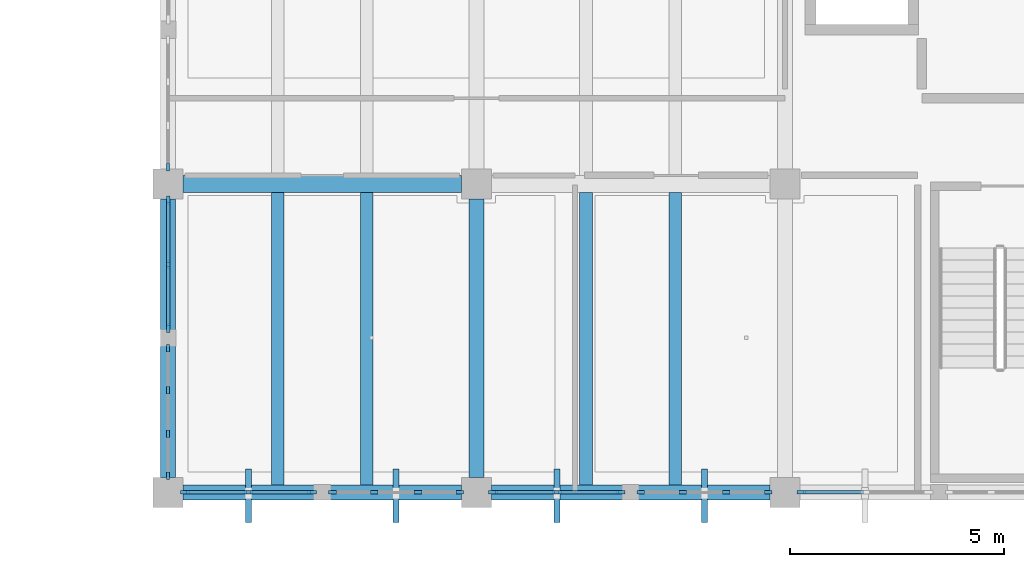
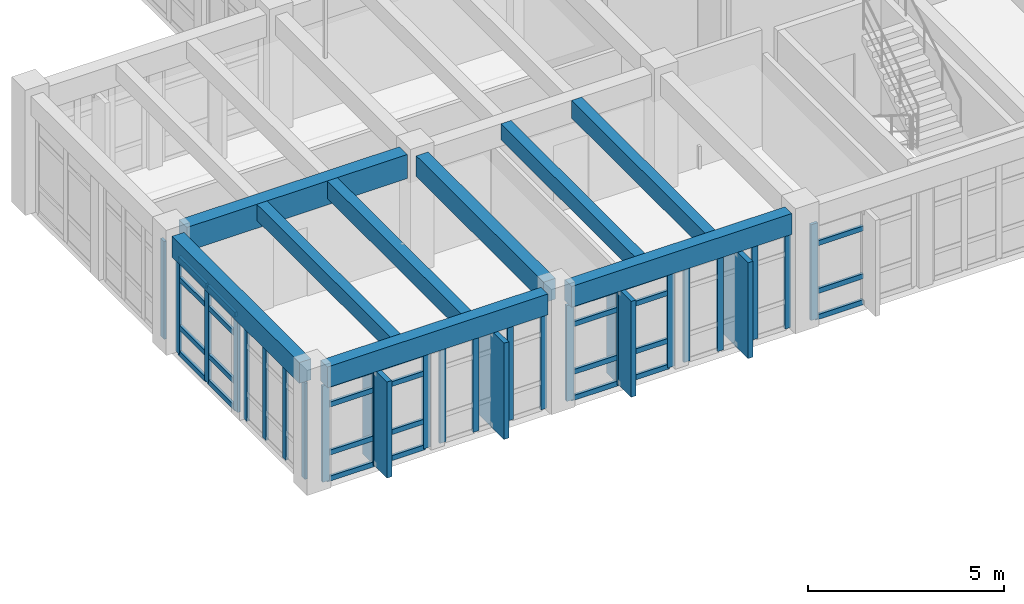
# One storey, part 10 of 54: 54 members, 9 beams, 8 elements without a shape of their own.
"""IFC4 building model written with IfcOpenShell, lengths in metres."""

from ifc_helpers import new_model, si_unit, direction, frame, origin, origin_2d, place, context, subcontext, project, spatial, rectangle, extrude, material, layer, layer_set, material_profile, profile_set, type_object, element, aggregate, save


model = new_model("IFC4")

# Units and contexts
model_context = context("Model", 3, precision=1e-05, world=origin(), true_north=direction((0.0, 1.0)))
body_context = subcontext(model_context, "Body", "Model", "MODEL_VIEW")
ifc_project = project(units=[si_unit("LENGTHUNIT", "METRE"), si_unit("AREAUNIT", "SQUARE_METRE"), si_unit("VOLUMEUNIT", "CUBIC_METRE"), si_unit("PLANEANGLEUNIT", "RADIAN"), si_unit("MASSUNIT", "GRAM", prefix="KILO")], contexts=[model_context])

# Site, building, storey
site_placement = place(None, origin())
site = spatial("IfcSite", under=ifc_project, at=site_placement, CompositionType="ELEMENT")
building_placement = place(site_placement, origin())
building = spatial("IfcBuilding", under=site, at=building_placement, Name="Koriwan Promenade Central Fire Station", CompositionType="ELEMENT")
storey_placement = place(building_placement, frame((0.0, 0.0, 9.60009765625)))
storey = spatial("IfcBuildingStorey", under=building, at=storey_placement, Name="L02", CompositionType="ELEMENT", Elevation=9.60009765625)

# Beams
ifc_material_1 = material(Name="Concrete C35/45", Category="concrete")
ifc_material_profile_1 = material_profile(ifc_material_1, rectangle(XDim=0.300048828125, YDim=0.5, at=origin_2d()), Name="RC-BM-300x500")
ifc_profile_set_1 = profile_set([ifc_material_profile_1], Name="Concrete C35/45")
beam_type_1 = type_object("IfcBeamType", Name="Beam_RC-BM-300x500", PredefinedType="JOIST", material=ifc_profile_set_1)
for number, where, z_axis, x_axis, name in (
    (1, (146.56005859375, 0.175048828125, 3.409912109375), (0.0, 1.0, 0.0), (-1.0, 0.0, 0.0), "V5 L02 secondary joist 817"),
    (2, (153.760009765625, 0.175048828125, 3.39990234375), (0.0, 1.0, 0.0), (-1.0, 0.0, 0.0), "V5 L02 secondary joist 819"),
):
    element("IfcBeam", number, at=place(storey_placement, frame(where, z_axis=z_axis, x_axis=x_axis)), inside=storey, type_object=beam_type_1, Name=name, PredefinedType="JOIST", context=body_context, shape_type="SweptSolid", body=[
        extrude(rectangle(XDim=0.300048828125, YDim=0.5, at=origin_2d()), origin(), (0.0, 0.0, 1.0), 6.824951171875),
    ])
ifc_material_profile_2 = material_profile(ifc_material_1, rectangle(XDim=0.300048828125, YDim=0.550048828125, at=origin_2d()), Name="RC-BM-300x550")
ifc_profile_set_2 = profile_set([ifc_material_profile_2], Name="Concrete C35/45")
beam_type_2 = type_object("IfcBeamType", Name="Beam_RC-BM-300x550", PredefinedType="JOIST", material=ifc_profile_set_2)
for number, where, z_axis, x_axis, name in (
    (3, (148.639892578125, 0.175048828125, 3.385009765625), (0.0, 1.0, 0.0), (-1.0, 0.0, 0.0), "V5 L02 secondary joist 818"),
    (4, (155.840087890625, 0.175048828125, 3.375), (0.0, 1.0, 0.0), (-1.0, 0.0, 0.0), "V5 L02 secondary joist 820"),
):
    element("IfcBeam", number, at=place(storey_placement, frame(where, z_axis=z_axis, x_axis=x_axis)), inside=storey, type_object=beam_type_2, Name=name, PredefinedType="JOIST", context=body_context, shape_type="SweptSolid", body=[
        extrude(rectangle(XDim=0.300048828125, YDim=0.550048828125, at=origin_2d()), origin(), (0.0, 0.0, 1.0), 6.824951171875),
    ])
ifc_material_profile_3 = material_profile(ifc_material_1, rectangle(XDim=0.35009765625, YDim=0.64990234375, at=origin_2d()), Name="RC-BM-350x650")
ifc_profile_set_3 = profile_set([ifc_material_profile_3], Name="Concrete C35/45")
beam_type_3 = type_object("IfcBeamType", Name="Beam_RC-BM-350x650", PredefinedType="BEAM", material=ifc_profile_set_3)
for number, where, z_axis, x_axis, name in (
    (5, (144.0, 0.35009765625, 3.3349609375), (0.0, 1.0, 0.0), (-1.0, 0.0, 0.0), "V5 L02 girder Y-783"),
    (6, (151.199951171875, 0.35009765625, 3.324951171875), (0.0, 1.0, 0.0), (-1.0, 0.0, 0.0), "V5 L02 girder Y-785"),
):
    element("IfcBeam", number, at=place(storey_placement, frame(where, z_axis=z_axis, x_axis=x_axis)), inside=storey, type_object=beam_type_3, Name=name, PredefinedType="BEAM", context=body_context, shape_type="SweptSolid", body=[
        extrude(rectangle(XDim=0.35009765625, YDim=0.64990234375, at=origin_2d()), origin(), (0.0, 0.0, 1.0), 6.5),
    ])
ifc_material_profile_4 = material_profile(ifc_material_1, rectangle(XDim=0.39990234375, YDim=0.75, at=origin_2d()), Name="RC-BM-400x750")
ifc_profile_set_4 = profile_set([ifc_material_profile_4], Name="Concrete C35/45")
beam_type_4 = type_object("IfcBeamType", Name="Beam_RC-BM-400x750", PredefinedType="BEAM", material=ifc_profile_set_4)
beam_placement = place(storey_placement, frame((144.35009765625, 7.199951171875, 3.284912109375), z_axis=(1.0, 0.0, 0.0), x_axis=(0.0, 1.0, 0.0)))
element("IfcBeam", 7, at=beam_placement, inside=storey, type_object=beam_type_4, Name="V5 L02 girder X-759", PredefinedType="BEAM", context=body_context, shape_type="SweptSolid", body=[
    extrude(rectangle(XDim=0.39990234375, YDim=0.75, at=origin_2d()), origin(), (0.0, 0.0, 1.0), 6.5),
])
ifc_material_profile_5 = material_profile(ifc_material_1, rectangle(XDim=0.35009765625, YDim=0.64990234375, at=origin_2d()), Name="RC-SP-350x650")
ifc_profile_set_5 = profile_set([ifc_material_profile_5], Name="Concrete C35/45")
beam_type_5 = type_object("IfcBeamType", Name="Beam_RC-SP-350x650", PredefinedType="SPANDREL", material=ifc_profile_set_5)
for number, where, z_axis, x_axis, name in (
    (8, (144.35009765625, 0.0, 3.3349609375), (1.0, 0.0, 0.0), (0.0, 1.0, 0.0), "V5 L02 girder X-755"),
    (9, (151.550048828125, 0.0, 3.324951171875), (1.0, 0.0, 0.0), (0.0, 1.0, 0.0), "V5 L02 girder X-756"),
):
    element("IfcBeam", number, at=place(storey_placement, frame(where, z_axis=z_axis, x_axis=x_axis)), inside=storey, type_object=beam_type_5, Name=name, PredefinedType="SPANDREL", context=body_context, shape_type="SweptSolid", body=[
        extrude(rectangle(XDim=0.35009765625, YDim=0.64990234375, at=origin_2d()), origin(), (0.0, 0.0, 1.0), 6.5),
    ])

# Curtain wall, members
ifc_material_2 = material(Name="Aluminium EN AW-6063-T6 and low-E glazing", Category="aluminium")
ifc_layer_1 = layer(ifc_material_2, 0.159912109375, Name="Aluminium EN AW-6063-T6 and low-E glazing")
ifc_layer_set_1 = layer_set([ifc_layer_1], Name="Aluminium EN AW-6063-T6 and low-E glazing")
curtain_wall_type_1 = type_object("IfcCurtainWallType", Name="CurtainWall_73_305x299", PredefinedType="USERDEFINED", material=ifc_layer_set_1)
curtain_wall_1_placement = place(storey_placement, origin())
curtain_wall_1 = element("IfcCurtainWall", 10, at=curtain_wall_1_placement, inside=storey, type_object=curtain_wall_type_1, Name="V5 L02 unitised curtain wall 213", ObjectType="UNITISED CURTAIN WALL", PredefinedType="USERDEFINED")
ifc_material_3 = material(Name="Aluminium EN AW-6063-T6", Category="aluminium")
ifc_material_profile_6 = material_profile(ifc_material_3, rectangle(XDim=0.074951171875, YDim=0.179931640625, at=origin_2d()), Name="ALU-MUL-75x180")
ifc_profile_set_6 = profile_set([ifc_material_profile_6], Name="Aluminium EN AW-6063-T6")
member_type_1 = type_object("IfcMemberType", Name="CWMullion_ALU-MUL-75x180", PredefinedType="MULLION", material=ifc_profile_set_6)
member_1_placement = place(storey_placement, frame((158.012451171875, 0.0, 0.0), z_axis=(0.0, 0.0, 1.0), x_axis=(0.0, -1.0, 0.0)))
member_1 = element("IfcMember", 11, at=member_1_placement, type_object=member_type_1, Name="CW-73 mullion 1", PredefinedType="MULLION", context=body_context, shape_type="SweptSolid", body=[
    extrude(rectangle(XDim=0.074951171875, YDim=0.179931640625, at=origin_2d()), origin(), (0.0, 0.0, 1.0), 2.989990234375),
])
member_2_placement = place(storey_placement, frame((157.033447265625, 0.0, 0.0), z_axis=(0.0, 0.0, 1.0), x_axis=(0.0, -1.0, 0.0)))
member_2 = element("IfcMember", 12, at=member_2_placement, type_object=member_type_1, Name="CW-73 mullion 2", PredefinedType="MULLION", context=body_context, shape_type="SweptSolid", body=[
    extrude(rectangle(XDim=0.074951171875, YDim=0.179931640625, at=origin_2d()), origin(), (0.0, 0.0, 1.0), 2.989990234375),
])
member_3_placement = place(storey_placement, frame((156.0166015625, 0.0, 0.0), z_axis=(0.0, 0.0, 1.0), x_axis=(0.0, -1.0, 0.0)))
member_3 = element("IfcMember", 13, at=member_3_placement, type_object=member_type_1, Name="CW-73 mullion 3", PredefinedType="MULLION", context=body_context, shape_type="SweptSolid", body=[
    extrude(rectangle(XDim=0.074951171875, YDim=0.179931640625, at=origin_2d()), origin(), (0.0, 0.0, 1.0), 2.989990234375),
])
member_4_placement = place(storey_placement, frame((155.03759765625, 0.0, 0.0), z_axis=(0.0, 0.0, 1.0), x_axis=(0.0, -1.0, 0.0)))
member_4 = element("IfcMember", 14, at=member_4_placement, type_object=member_type_1, Name="CW-73 mullion 4", PredefinedType="MULLION", context=body_context, shape_type="SweptSolid", body=[
    extrude(rectangle(XDim=0.074951171875, YDim=0.179931640625, at=origin_2d()), origin(), (0.0, 0.0, 1.0), 2.989990234375),
])
aggregate(curtain_wall_1, [member_1, member_2, member_3, member_4])

ifc_layer_2 = layer(ifc_material_2, 0.159912109375, Name="Aluminium EN AW-6063-T6 and low-E glazing")
ifc_layer_set_2 = layer_set([ifc_layer_2], Name="Aluminium EN AW-6063-T6 and low-E glazing")
curtain_wall_type_2 = type_object("IfcCurtainWallType", Name="CurtainWall_74_305x300", PredefinedType="USERDEFINED", material=ifc_layer_set_2)
curtain_wall_2_placement = place(storey_placement, origin())
curtain_wall_2 = element("IfcCurtainWall", 15, at=curtain_wall_2_placement, inside=storey, type_object=curtain_wall_type_2, Name="V5 L02 unitised curtain wall 215", ObjectType="UNITISED CURTAIN WALL", PredefinedType="USERDEFINED")
member_5_placement = place(storey_placement, frame((150.8125, 0.0, 0.0), z_axis=(0.0, 0.0, 1.0), x_axis=(0.0, -1.0, 0.0)))
member_5 = element("IfcMember", 16, at=member_5_placement, type_object=member_type_1, Name="CW-74 mullion 1", PredefinedType="MULLION", context=body_context, shape_type="SweptSolid", body=[
    extrude(rectangle(XDim=0.074951171875, YDim=0.179931640625, at=origin_2d()), origin(), (0.0, 0.0, 1.0), 3.0),
])
member_6_placement = place(storey_placement, frame((149.833251953125, 0.0, 0.0), z_axis=(0.0, 0.0, 1.0), x_axis=(0.0, -1.0, 0.0)))
member_6 = element("IfcMember", 17, at=member_6_placement, type_object=member_type_1, Name="CW-74 mullion 2", PredefinedType="MULLION", context=body_context, shape_type="SweptSolid", body=[
    extrude(rectangle(XDim=0.074951171875, YDim=0.179931640625, at=origin_2d()), origin(), (0.0, 0.0, 1.0), 3.0),
])
member_7_placement = place(storey_placement, frame((148.816650390625, 0.0, 0.0), z_axis=(0.0, 0.0, 1.0), x_axis=(0.0, -1.0, 0.0)))
member_7 = element("IfcMember", 18, at=member_7_placement, type_object=member_type_1, Name="CW-74 mullion 3", PredefinedType="MULLION", context=body_context, shape_type="SweptSolid", body=[
    extrude(rectangle(XDim=0.074951171875, YDim=0.179931640625, at=origin_2d()), origin(), (0.0, 0.0, 1.0), 3.0),
])
member_8_placement = place(storey_placement, frame((147.83740234375, 0.0, 0.0), z_axis=(0.0, 0.0, 1.0), x_axis=(0.0, -1.0, 0.0)))
member_8 = element("IfcMember", 19, at=member_8_placement, type_object=member_type_1, Name="CW-74 mullion 4", PredefinedType="MULLION", context=body_context, shape_type="SweptSolid", body=[
    extrude(rectangle(XDim=0.074951171875, YDim=0.179931640625, at=origin_2d()), origin(), (0.0, 0.0, 1.0), 3.0),
])
aggregate(curtain_wall_2, [member_5, member_6, member_7, member_8])

curtain_wall_3_placement = place(storey_placement, origin())
curtain_wall_3 = element("IfcCurtainWall", 20, at=curtain_wall_3_placement, inside=storey, type_object=curtain_wall_type_2, Name="V5 L02 unitised curtain wall 217", ObjectType="UNITISED CURTAIN WALL", PredefinedType="USERDEFINED")
member_9_placement = place(storey_placement, frame((144.0, 0.387451171875, 0.0), z_axis=(0.0, 0.0, 1.0), x_axis=(-1.0, 0.0, 0.0)))
member_9 = element("IfcMember", 21, at=member_9_placement, type_object=member_type_1, Name="CW-74 mullion 1", PredefinedType="MULLION", context=body_context, shape_type="SweptSolid", body=[
    extrude(rectangle(XDim=0.074951171875, YDim=0.179931640625, at=origin_2d()), origin(), (0.0, 0.0, 1.0), 3.0),
])
member_10_placement = place(storey_placement, frame((144.0, 1.36669921875, 0.0), z_axis=(0.0, 0.0, 1.0), x_axis=(-1.0, 0.0, 0.0)))
member_10 = element("IfcMember", 22, at=member_10_placement, type_object=member_type_1, Name="CW-74 mullion 2", PredefinedType="MULLION", context=body_context, shape_type="SweptSolid", body=[
    extrude(rectangle(XDim=0.074951171875, YDim=0.179931640625, at=origin_2d()), origin(), (0.0, 0.0, 1.0), 3.0),
])
member_11_placement = place(storey_placement, frame((144.0, 2.38330078125, 0.0), z_axis=(0.0, 0.0, 1.0), x_axis=(-1.0, 0.0, 0.0)))
member_11 = element("IfcMember", 23, at=member_11_placement, type_object=member_type_1, Name="CW-74 mullion 3", PredefinedType="MULLION", context=body_context, shape_type="SweptSolid", body=[
    extrude(rectangle(XDim=0.074951171875, YDim=0.179931640625, at=origin_2d()), origin(), (0.0, 0.0, 1.0), 3.0),
])
member_12_placement = place(storey_placement, frame((144.0, 3.362548828125, 0.0), z_axis=(0.0, 0.0, 1.0), x_axis=(-1.0, 0.0, 0.0)))
member_12 = element("IfcMember", 24, at=member_12_placement, type_object=member_type_1, Name="CW-74 mullion 4", PredefinedType="MULLION", context=body_context, shape_type="SweptSolid", body=[
    extrude(rectangle(XDim=0.074951171875, YDim=0.179931640625, at=origin_2d()), origin(), (0.0, 0.0, 1.0), 3.0),
])
aggregate(curtain_wall_3, [member_9, member_10, member_11, member_12])

# Curtain wall, member
ifc_layer_3 = layer(ifc_material_2, 0.159912109375, Name="Aluminium EN AW-6063-T6 and low-E glazing")
ifc_layer_set_3 = layer_set([ifc_layer_3], Name="Aluminium EN AW-6063-T6 and low-E glazing")
curtain_wall_type_3 = type_object("IfcCurtainWallType", Name="CurtainWall_76_305x305", PredefinedType="USERDEFINED", material=ifc_layer_set_3)
curtain_wall_4_placement = place(storey_placement, origin())
curtain_wall_4 = element("IfcCurtainWall", 25, at=curtain_wall_4_placement, inside=storey, type_object=curtain_wall_type_3, Name="V5 L02 unitised curtain wall 219", ObjectType="UNITISED CURTAIN WALL", PredefinedType="USERDEFINED")
member_13_placement = place(storey_placement, frame((144.0, 7.58740234375, 0.0), z_axis=(0.0, 0.0, 1.0), x_axis=(-1.0, 0.0, 0.0)))
member_13 = element("IfcMember", 26, at=member_13_placement, type_object=member_type_1, Name="CW-76 mullion 1", PredefinedType="MULLION", context=body_context, shape_type="SweptSolid", body=[
    extrude(rectangle(XDim=0.074951171875, YDim=0.179931640625, at=origin_2d()), origin(), (0.0, 0.0, 1.0), 3.0498046875),
])
aggregate(curtain_wall_4, [member_13])

ifc_layer_4 = layer(ifc_material_2, 0.159912109375, Name="Aluminium EN AW-6063-T6 and low-E glazing")
ifc_layer_set_4 = layer_set([ifc_layer_4], Name="Aluminium EN AW-6063-T6 and low-E glazing")
curtain_wall_type_4 = type_object("IfcCurtainWallType", Name="CurtainWall_10_305x299", PredefinedType="USERDEFINED", material=ifc_layer_set_4)
curtain_wall_5_placement = place(storey_placement, origin())
curtain_wall_5 = element("IfcCurtainWall", 27, at=curtain_wall_5_placement, inside=storey, type_object=curtain_wall_type_4, Name="V5 L02 unitised curtain wall 212", ObjectType="UNITISED CURTAIN WALL", PredefinedType="USERDEFINED")
ifc_material_profile_7 = material_profile(ifc_material_3, rectangle(XDim=0.080078125, YDim=0.2099609375, at=origin_2d()), Name="ALU-MUL-80x210")
ifc_profile_set_7 = profile_set([ifc_material_profile_7], Name="Aluminium EN AW-6063-T6")
member_type_2 = type_object("IfcMemberType", Name="CWMullion_ALU-MUL-80x210", PredefinedType="MULLION", material=ifc_profile_set_7)
member_14_placement = place(storey_placement, frame((158.7900390625, 0.0, 0.0), z_axis=(0.0, 0.0, 1.0), x_axis=(0.0, -1.0, 0.0)))
member_14 = element("IfcMember", 28, at=member_14_placement, type_object=member_type_2, Name="CW-10 mullion 3", PredefinedType="MULLION", context=body_context, shape_type="SweptSolid", body=[
    extrude(rectangle(XDim=0.080078125, YDim=0.2099609375, at=origin_2d()), origin(), (0.0, 0.0, 1.0), 2.989990234375),
])

# Curtain wall, members
curtain_wall_6_placement = place(storey_placement, origin())
curtain_wall_6 = element("IfcCurtainWall", 29, at=curtain_wall_6_placement, inside=storey, type_object=curtain_wall_type_4, Name="V5 L02 unitised curtain wall 214", ObjectType="UNITISED CURTAIN WALL", PredefinedType="USERDEFINED")
member_15_placement = place(storey_placement, frame((154.56005859375, 0.0, 0.0), z_axis=(0.0, 0.0, 1.0), x_axis=(0.0, -1.0, 0.0)))
member_15 = element("IfcMember", 30, at=member_15_placement, type_object=member_type_2, Name="CW-10 mullion 1", PredefinedType="MULLION", context=body_context, shape_type="SweptSolid", body=[
    extrude(rectangle(XDim=0.080078125, YDim=0.2099609375, at=origin_2d()), origin(), (0.0, 0.0, 1.0), 2.989990234375),
])
member_16_placement = place(storey_placement, frame((153.074951171875, 0.0, 0.0), z_axis=(0.0, 0.0, 1.0), x_axis=(0.0, -1.0, 0.0)))
member_16 = element("IfcMember", 31, at=member_16_placement, type_object=member_type_2, Name="CW-10 mullion 2", PredefinedType="MULLION", context=body_context, shape_type="SweptSolid", body=[
    extrude(rectangle(XDim=0.080078125, YDim=0.2099609375, at=origin_2d()), origin(), (0.0, 0.0, 1.0), 2.989990234375),
])
member_17_placement = place(storey_placement, frame((151.590087890625, 0.0, 0.0), z_axis=(0.0, 0.0, 1.0), x_axis=(0.0, -1.0, 0.0)))
member_17 = element("IfcMember", 32, at=member_17_placement, type_object=member_type_2, Name="CW-10 mullion 3", PredefinedType="MULLION", context=body_context, shape_type="SweptSolid", body=[
    extrude(rectangle(XDim=0.080078125, YDim=0.2099609375, at=origin_2d()), origin(), (0.0, 0.0, 1.0), 2.989990234375),
])

ifc_layer_5 = layer(ifc_material_2, 0.159912109375, Name="Aluminium EN AW-6063-T6 and low-E glazing")
ifc_layer_set_5 = layer_set([ifc_layer_5], Name="Aluminium EN AW-6063-T6 and low-E glazing")
curtain_wall_type_5 = type_object("IfcCurtainWallType", Name="CurtainWall_75_305x300", PredefinedType="USERDEFINED", material=ifc_layer_set_5)
curtain_wall_7_placement = place(storey_placement, origin())
curtain_wall_7 = element("IfcCurtainWall", 33, at=curtain_wall_7_placement, inside=storey, type_object=curtain_wall_type_5, Name="V5 L02 unitised curtain wall 216", ObjectType="UNITISED CURTAIN WALL", PredefinedType="USERDEFINED")
member_18_placement = place(storey_placement, frame((147.360107421875, 0.0, 0.0), z_axis=(0.0, 0.0, 1.0), x_axis=(0.0, -1.0, 0.0)))
member_18 = element("IfcMember", 34, at=member_18_placement, type_object=member_type_2, Name="CW-75 mullion 1", PredefinedType="MULLION", context=body_context, shape_type="SweptSolid", body=[
    extrude(rectangle(XDim=0.080078125, YDim=0.2099609375, at=origin_2d()), origin(), (0.0, 0.0, 1.0), 3.0),
])
member_19_placement = place(storey_placement, frame((145.875, 0.0, 0.0), z_axis=(0.0, 0.0, 1.0), x_axis=(0.0, -1.0, 0.0)))
member_19 = element("IfcMember", 35, at=member_19_placement, type_object=member_type_2, Name="CW-75 mullion 2", PredefinedType="MULLION", context=body_context, shape_type="SweptSolid", body=[
    extrude(rectangle(XDim=0.080078125, YDim=0.2099609375, at=origin_2d()), origin(), (0.0, 0.0, 1.0), 3.0),
])
member_20_placement = place(storey_placement, frame((144.389892578125, 0.0, 0.0), z_axis=(0.0, 0.0, 1.0), x_axis=(0.0, -1.0, 0.0)))
member_20 = element("IfcMember", 36, at=member_20_placement, type_object=member_type_2, Name="CW-75 mullion 3", PredefinedType="MULLION", context=body_context, shape_type="SweptSolid", body=[
    extrude(rectangle(XDim=0.080078125, YDim=0.2099609375, at=origin_2d()), origin(), (0.0, 0.0, 1.0), 3.0),
])

curtain_wall_8_placement = place(storey_placement, origin())
curtain_wall_8 = element("IfcCurtainWall", 37, at=curtain_wall_8_placement, inside=storey, type_object=curtain_wall_type_5, Name="V5 L02 unitised curtain wall 218", ObjectType="UNITISED CURTAIN WALL", PredefinedType="USERDEFINED")
member_21_placement = place(storey_placement, frame((144.0, 3.840087890625, 0.0), z_axis=(0.0, 0.0, 1.0), x_axis=(-1.0, 0.0, 0.0)))
member_21 = element("IfcMember", 38, at=member_21_placement, type_object=member_type_2, Name="CW-75 mullion 1", PredefinedType="MULLION", context=body_context, shape_type="SweptSolid", body=[
    extrude(rectangle(XDim=0.080078125, YDim=0.2099609375, at=origin_2d()), origin(), (0.0, 0.0, 1.0), 3.0),
])
member_22_placement = place(storey_placement, frame((144.0, 5.324951171875, 0.0), z_axis=(0.0, 0.0, 1.0), x_axis=(-1.0, 0.0, 0.0)))
member_22 = element("IfcMember", 39, at=member_22_placement, type_object=member_type_2, Name="CW-75 mullion 2", PredefinedType="MULLION", context=body_context, shape_type="SweptSolid", body=[
    extrude(rectangle(XDim=0.080078125, YDim=0.2099609375, at=origin_2d()), origin(), (0.0, 0.0, 1.0), 3.0),
])
member_23_placement = place(storey_placement, frame((144.0, 6.81005859375, 0.0), z_axis=(0.0, 0.0, 1.0), x_axis=(-1.0, 0.0, 0.0)))
member_23 = element("IfcMember", 40, at=member_23_placement, type_object=member_type_2, Name="CW-75 mullion 3", PredefinedType="MULLION", context=body_context, shape_type="SweptSolid", body=[
    extrude(rectangle(XDim=0.080078125, YDim=0.2099609375, at=origin_2d()), origin(), (0.0, 0.0, 1.0), 3.0),
])

# Member
ifc_material_profile_8 = material_profile(ifc_material_3, rectangle(XDim=0.080078125, YDim=0.155029296875, at=origin_2d()), Name="ALU-TRN-80x155")
ifc_profile_set_8 = profile_set([ifc_material_profile_8], Name="Aluminium EN AW-6063-T6")
member_type_3 = type_object("IfcMemberType", Name="CWTransom_ALU-TRN-80x155", PredefinedType="USERDEFINED", material=ifc_profile_set_8)
member_24_placement = place(storey_placement, frame((160.235107421875, 0.0, 0.039794921875), z_axis=(-1.0, 0.0, 0.0), x_axis=(0.0, -1.0, 0.0)))
member_24 = element("IfcMember", 41, at=member_24_placement, type_object=member_type_3, Name="CW-10 transom 2.1", ObjectType="TRANSOM", PredefinedType="USERDEFINED", context=body_context, shape_type="SweptSolid", body=[
    extrude(rectangle(XDim=0.080078125, YDim=0.155029296875, at=origin_2d()), origin(), (0.0, 0.0, 1.0), 1.405029296875),
])

member_25_placement = place(storey_placement, frame((160.235107421875, 0.0, 0.849853515625), z_axis=(-1.0, 0.0, 0.0), x_axis=(0.0, -1.0, 0.0)))
member_25 = element("IfcMember", 42, at=member_25_placement, type_object=member_type_3, Name="CW-10 transom 2.2", ObjectType="TRANSOM", PredefinedType="USERDEFINED", context=body_context, shape_type="SweptSolid", body=[
    extrude(rectangle(XDim=0.080078125, YDim=0.155029296875, at=origin_2d()), origin(), (0.0, 0.0, 1.0), 1.405029296875),
])

member_26_placement = place(storey_placement, frame((160.235107421875, 0.0, 2.33984375), z_axis=(-1.0, 0.0, 0.0), x_axis=(0.0, -1.0, 0.0)))
member_26 = element("IfcMember", 43, at=member_26_placement, type_object=member_type_3, Name="CW-10 transom 2.3", ObjectType="TRANSOM", PredefinedType="USERDEFINED", context=body_context, shape_type="SweptSolid", body=[
    extrude(rectangle(XDim=0.080078125, YDim=0.155029296875, at=origin_2d()), origin(), (0.0, 0.0, 1.0), 1.405029296875),
])

aggregate(curtain_wall_5, [member_14, member_24, member_25, member_26])

member_27_placement = place(storey_placement, frame((154.52001953125, 0.0, 0.039794921875), z_axis=(-1.0, 0.0, 0.0), x_axis=(0.0, -1.0, 0.0)))
member_27 = element("IfcMember", 44, at=member_27_placement, type_object=member_type_3, Name="CW-10 transom 1.1", ObjectType="TRANSOM", PredefinedType="USERDEFINED", context=body_context, shape_type="SweptSolid", body=[
    extrude(rectangle(XDim=0.080078125, YDim=0.155029296875, at=origin_2d()), origin(), (0.0, 0.0, 1.0), 1.405029296875),
])

member_28_placement = place(storey_placement, frame((154.52001953125, 0.0, 0.849853515625), z_axis=(-1.0, 0.0, 0.0), x_axis=(0.0, -1.0, 0.0)))
member_28 = element("IfcMember", 45, at=member_28_placement, type_object=member_type_3, Name="CW-10 transom 1.2", ObjectType="TRANSOM", PredefinedType="USERDEFINED", context=body_context, shape_type="SweptSolid", body=[
    extrude(rectangle(XDim=0.080078125, YDim=0.155029296875, at=origin_2d()), origin(), (0.0, 0.0, 1.0), 1.405029296875),
])

member_29_placement = place(storey_placement, frame((154.52001953125, 0.0, 2.33984375), z_axis=(-1.0, 0.0, 0.0), x_axis=(0.0, -1.0, 0.0)))
member_29 = element("IfcMember", 46, at=member_29_placement, type_object=member_type_3, Name="CW-10 transom 1.3", ObjectType="TRANSOM", PredefinedType="USERDEFINED", context=body_context, shape_type="SweptSolid", body=[
    extrude(rectangle(XDim=0.080078125, YDim=0.155029296875, at=origin_2d()), origin(), (0.0, 0.0, 1.0), 1.405029296875),
])

member_30_placement = place(storey_placement, frame((154.52001953125, 0.0, 2.949951171875), z_axis=(-1.0, 0.0, 0.0), x_axis=(0.0, -1.0, 0.0)))
member_30 = element("IfcMember", 47, at=member_30_placement, type_object=member_type_3, Name="CW-10 transom 1.4", ObjectType="TRANSOM", PredefinedType="USERDEFINED", context=body_context, shape_type="SweptSolid", body=[
    extrude(rectangle(XDim=0.080078125, YDim=0.155029296875, at=origin_2d()), origin(), (0.0, 0.0, 1.0), 1.405029296875),
])

member_31_placement = place(storey_placement, frame((153.034912109375, 0.0, 0.039794921875), z_axis=(-1.0, 0.0, 0.0), x_axis=(0.0, -1.0, 0.0)))
member_31 = element("IfcMember", 48, at=member_31_placement, type_object=member_type_3, Name="CW-10 transom 2.1", ObjectType="TRANSOM", PredefinedType="USERDEFINED", context=body_context, shape_type="SweptSolid", body=[
    extrude(rectangle(XDim=0.080078125, YDim=0.155029296875, at=origin_2d()), origin(), (0.0, 0.0, 1.0), 1.405029296875),
])

member_32_placement = place(storey_placement, frame((153.034912109375, 0.0, 0.849853515625), z_axis=(-1.0, 0.0, 0.0), x_axis=(0.0, -1.0, 0.0)))
member_32 = element("IfcMember", 49, at=member_32_placement, type_object=member_type_3, Name="CW-10 transom 2.2", ObjectType="TRANSOM", PredefinedType="USERDEFINED", context=body_context, shape_type="SweptSolid", body=[
    extrude(rectangle(XDim=0.080078125, YDim=0.155029296875, at=origin_2d()), origin(), (0.0, 0.0, 1.0), 1.405029296875),
])

member_33_placement = place(storey_placement, frame((153.034912109375, 0.0, 2.33984375), z_axis=(-1.0, 0.0, 0.0), x_axis=(0.0, -1.0, 0.0)))
member_33 = element("IfcMember", 50, at=member_33_placement, type_object=member_type_3, Name="CW-10 transom 2.3", ObjectType="TRANSOM", PredefinedType="USERDEFINED", context=body_context, shape_type="SweptSolid", body=[
    extrude(rectangle(XDim=0.080078125, YDim=0.155029296875, at=origin_2d()), origin(), (0.0, 0.0, 1.0), 1.405029296875),
])

member_34_placement = place(storey_placement, frame((153.034912109375, 0.0, 2.949951171875), z_axis=(-1.0, 0.0, 0.0), x_axis=(0.0, -1.0, 0.0)))
member_34 = element("IfcMember", 51, at=member_34_placement, type_object=member_type_3, Name="CW-10 transom 2.4", ObjectType="TRANSOM", PredefinedType="USERDEFINED", context=body_context, shape_type="SweptSolid", body=[
    extrude(rectangle(XDim=0.080078125, YDim=0.155029296875, at=origin_2d()), origin(), (0.0, 0.0, 1.0), 1.405029296875),
])

aggregate(curtain_wall_6, [member_15, member_16, member_17, member_27, member_28, member_29, member_30, member_31, member_32, member_33, member_34])

member_35_placement = place(storey_placement, frame((147.320068359375, 0.0, 0.039794921875), z_axis=(-1.0, 0.0, 0.0), x_axis=(0.0, -1.0, 0.0)))
member_35 = element("IfcMember", 52, at=member_35_placement, type_object=member_type_3, Name="CW-75 transom 1.1", ObjectType="TRANSOM", PredefinedType="USERDEFINED", context=body_context, shape_type="SweptSolid", body=[
    extrude(rectangle(XDim=0.080078125, YDim=0.155029296875, at=origin_2d()), origin(), (0.0, 0.0, 1.0), 1.405029296875),
])

member_36_placement = place(storey_placement, frame((147.320068359375, 0.0, 0.849853515625), z_axis=(-1.0, 0.0, 0.0), x_axis=(0.0, -1.0, 0.0)))
member_36 = element("IfcMember", 53, at=member_36_placement, type_object=member_type_3, Name="CW-75 transom 1.2", ObjectType="TRANSOM", PredefinedType="USERDEFINED", context=body_context, shape_type="SweptSolid", body=[
    extrude(rectangle(XDim=0.080078125, YDim=0.155029296875, at=origin_2d()), origin(), (0.0, 0.0, 1.0), 1.405029296875),
])

member_37_placement = place(storey_placement, frame((147.320068359375, 0.0, 2.349853515625), z_axis=(-1.0, 0.0, 0.0), x_axis=(0.0, -1.0, 0.0)))
member_37 = element("IfcMember", 54, at=member_37_placement, type_object=member_type_3, Name="CW-75 transom 1.3", ObjectType="TRANSOM", PredefinedType="USERDEFINED", context=body_context, shape_type="SweptSolid", body=[
    extrude(rectangle(XDim=0.080078125, YDim=0.155029296875, at=origin_2d()), origin(), (0.0, 0.0, 1.0), 1.405029296875),
])

member_38_placement = place(storey_placement, frame((147.320068359375, 0.0, 2.9599609375), z_axis=(-1.0, 0.0, 0.0), x_axis=(0.0, -1.0, 0.0)))
member_38 = element("IfcMember", 55, at=member_38_placement, type_object=member_type_3, Name="CW-75 transom 1.4", ObjectType="TRANSOM", PredefinedType="USERDEFINED", context=body_context, shape_type="SweptSolid", body=[
    extrude(rectangle(XDim=0.080078125, YDim=0.155029296875, at=origin_2d()), origin(), (0.0, 0.0, 1.0), 1.405029296875),
])

member_39_placement = place(storey_placement, frame((145.8349609375, 0.0, 0.039794921875), z_axis=(-1.0, 0.0, 0.0), x_axis=(0.0, -1.0, 0.0)))
member_39 = element("IfcMember", 56, at=member_39_placement, type_object=member_type_3, Name="CW-75 transom 2.1", ObjectType="TRANSOM", PredefinedType="USERDEFINED", context=body_context, shape_type="SweptSolid", body=[
    extrude(rectangle(XDim=0.080078125, YDim=0.155029296875, at=origin_2d()), origin(), (0.0, 0.0, 1.0), 1.405029296875),
])

member_40_placement = place(storey_placement, frame((145.8349609375, 0.0, 0.849853515625), z_axis=(-1.0, 0.0, 0.0), x_axis=(0.0, -1.0, 0.0)))
member_40 = element("IfcMember", 57, at=member_40_placement, type_object=member_type_3, Name="CW-75 transom 2.2", ObjectType="TRANSOM", PredefinedType="USERDEFINED", context=body_context, shape_type="SweptSolid", body=[
    extrude(rectangle(XDim=0.080078125, YDim=0.155029296875, at=origin_2d()), origin(), (0.0, 0.0, 1.0), 1.405029296875),
])

member_41_placement = place(storey_placement, frame((145.8349609375, 0.0, 2.349853515625), z_axis=(-1.0, 0.0, 0.0), x_axis=(0.0, -1.0, 0.0)))
member_41 = element("IfcMember", 58, at=member_41_placement, type_object=member_type_3, Name="CW-75 transom 2.3", ObjectType="TRANSOM", PredefinedType="USERDEFINED", context=body_context, shape_type="SweptSolid", body=[
    extrude(rectangle(XDim=0.080078125, YDim=0.155029296875, at=origin_2d()), origin(), (0.0, 0.0, 1.0), 1.405029296875),
])

member_42_placement = place(storey_placement, frame((145.8349609375, 0.0, 2.9599609375), z_axis=(-1.0, 0.0, 0.0), x_axis=(0.0, -1.0, 0.0)))
member_42 = element("IfcMember", 59, at=member_42_placement, type_object=member_type_3, Name="CW-75 transom 2.4", ObjectType="TRANSOM", PredefinedType="USERDEFINED", context=body_context, shape_type="SweptSolid", body=[
    extrude(rectangle(XDim=0.080078125, YDim=0.155029296875, at=origin_2d()), origin(), (0.0, 0.0, 1.0), 1.405029296875),
])

aggregate(curtain_wall_7, [member_18, member_19, member_20, member_35, member_36, member_37, member_38, member_39, member_40, member_41, member_42])

member_43_placement = place(storey_placement, frame((144.0, 3.8798828125, 0.039794921875), z_axis=(0.0, 1.0, 0.0), x_axis=(-1.0, 0.0, 0.0)))
member_43 = element("IfcMember", 60, at=member_43_placement, type_object=member_type_3, Name="CW-75 transom 1.1", ObjectType="TRANSOM", PredefinedType="USERDEFINED", context=body_context, shape_type="SweptSolid", body=[
    extrude(rectangle(XDim=0.080078125, YDim=0.155029296875, at=origin_2d()), origin(), (0.0, 0.0, 1.0), 1.405029296875),
])

member_44_placement = place(storey_placement, frame((144.0, 3.8798828125, 0.849853515625), z_axis=(0.0, 1.0, 0.0), x_axis=(-1.0, 0.0, 0.0)))
member_44 = element("IfcMember", 61, at=member_44_placement, type_object=member_type_3, Name="CW-75 transom 1.2", ObjectType="TRANSOM", PredefinedType="USERDEFINED", context=body_context, shape_type="SweptSolid", body=[
    extrude(rectangle(XDim=0.080078125, YDim=0.155029296875, at=origin_2d()), origin(), (0.0, 0.0, 1.0), 1.405029296875),
])

member_45_placement = place(storey_placement, frame((144.0, 3.8798828125, 2.349853515625), z_axis=(0.0, 1.0, 0.0), x_axis=(-1.0, 0.0, 0.0)))
member_45 = element("IfcMember", 62, at=member_45_placement, type_object=member_type_3, Name="CW-75 transom 1.3", ObjectType="TRANSOM", PredefinedType="USERDEFINED", context=body_context, shape_type="SweptSolid", body=[
    extrude(rectangle(XDim=0.080078125, YDim=0.155029296875, at=origin_2d()), origin(), (0.0, 0.0, 1.0), 1.405029296875),
])

member_46_placement = place(storey_placement, frame((144.0, 3.8798828125, 2.9599609375), z_axis=(0.0, 1.0, 0.0), x_axis=(-1.0, 0.0, 0.0)))
member_46 = element("IfcMember", 63, at=member_46_placement, type_object=member_type_3, Name="CW-75 transom 1.4", ObjectType="TRANSOM", PredefinedType="USERDEFINED", context=body_context, shape_type="SweptSolid", body=[
    extrude(rectangle(XDim=0.080078125, YDim=0.155029296875, at=origin_2d()), origin(), (0.0, 0.0, 1.0), 1.405029296875),
])

member_47_placement = place(storey_placement, frame((144.0, 5.364990234375, 0.039794921875), z_axis=(0.0, 1.0, 0.0), x_axis=(-1.0, 0.0, 0.0)))
member_47 = element("IfcMember", 64, at=member_47_placement, type_object=member_type_3, Name="CW-75 transom 2.1", ObjectType="TRANSOM", PredefinedType="USERDEFINED", context=body_context, shape_type="SweptSolid", body=[
    extrude(rectangle(XDim=0.080078125, YDim=0.155029296875, at=origin_2d()), origin(), (0.0, 0.0, 1.0), 1.405029296875),
])

member_48_placement = place(storey_placement, frame((144.0, 5.364990234375, 0.849853515625), z_axis=(0.0, 1.0, 0.0), x_axis=(-1.0, 0.0, 0.0)))
member_48 = element("IfcMember", 65, at=member_48_placement, type_object=member_type_3, Name="CW-75 transom 2.2", ObjectType="TRANSOM", PredefinedType="USERDEFINED", context=body_context, shape_type="SweptSolid", body=[
    extrude(rectangle(XDim=0.080078125, YDim=0.155029296875, at=origin_2d()), origin(), (0.0, 0.0, 1.0), 1.405029296875),
])

member_49_placement = place(storey_placement, frame((144.0, 5.364990234375, 2.349853515625), z_axis=(0.0, 1.0, 0.0), x_axis=(-1.0, 0.0, 0.0)))
member_49 = element("IfcMember", 66, at=member_49_placement, type_object=member_type_3, Name="CW-75 transom 2.3", ObjectType="TRANSOM", PredefinedType="USERDEFINED", context=body_context, shape_type="SweptSolid", body=[
    extrude(rectangle(XDim=0.080078125, YDim=0.155029296875, at=origin_2d()), origin(), (0.0, 0.0, 1.0), 1.405029296875),
])

member_50_placement = place(storey_placement, frame((144.0, 5.364990234375, 2.9599609375), z_axis=(0.0, 1.0, 0.0), x_axis=(-1.0, 0.0, 0.0)))
member_50 = element("IfcMember", 67, at=member_50_placement, type_object=member_type_3, Name="CW-75 transom 2.4", ObjectType="TRANSOM", PredefinedType="USERDEFINED", context=body_context, shape_type="SweptSolid", body=[
    extrude(rectangle(XDim=0.080078125, YDim=0.155029296875, at=origin_2d()), origin(), (0.0, 0.0, 1.0), 1.405029296875),
])

aggregate(curtain_wall_8, [member_21, member_22, member_23, member_43, member_44, member_45, member_46, member_47, member_48, member_49, member_50])

# Members
ifc_material_4 = material(Name="Aluminium EN AW-6063-T6 terracotta finish", Category="masonry")
ifc_material_profile_9 = material_profile(ifc_material_4, rectangle(XDim=0.139892578125, YDim=1.25, at=origin_2d()), Name="FIN-TRC-140x1250")
ifc_profile_set_9 = profile_set([ifc_material_profile_9], Name="Aluminium EN AW-6063-T6 terracotta finish")
member_type_4 = type_object("IfcMemberType", Name="SolarFin_FIN-TRC-140x1250", PredefinedType="USERDEFINED", material=ifc_profile_set_9)
for number, where, z_axis, x_axis, name in (
    (68, (156.52490234375, -0.074951171875, 0.0), (0.0, 0.0, 1.0), (-1.0, 0.0, 0.0), "V5 L02 terracotta solar fin 063"),
    (69, (153.074951171875, -0.074951171875, 0.0), (0.0, 0.0, 1.0), (-1.0, 0.0, 0.0), "V5 L02 terracotta solar fin 064"),
):
    element("IfcMember", number, at=place(storey_placement, frame(where, z_axis=z_axis, x_axis=x_axis)), inside=storey, type_object=member_type_4, Name=name, ObjectType="SOLAR FIN", PredefinedType="USERDEFINED", context=body_context, shape_type="SweptSolid", body=[
        extrude(rectangle(XDim=0.139892578125, YDim=1.25, at=origin_2d()), origin(), (0.0, 0.0, 1.0), 2.989990234375),
    ])
for number, where, z_axis, x_axis, name in (
    (70, (149.324951171875, -0.074951171875, 0.0), (0.0, 0.0, 1.0), (-1.0, 0.0, 0.0), "V5 L02 terracotta solar fin 065"),
    (71, (145.875, -0.074951171875, 0.0), (0.0, 0.0, 1.0), (-1.0, 0.0, 0.0), "V5 L02 terracotta solar fin 066"),
):
    element("IfcMember", number, at=place(storey_placement, frame(where, z_axis=z_axis, x_axis=x_axis)), inside=storey, type_object=member_type_4, Name=name, ObjectType="SOLAR FIN", PredefinedType="USERDEFINED", context=body_context, shape_type="SweptSolid", body=[
        extrude(rectangle(XDim=0.139892578125, YDim=1.25, at=origin_2d()), origin(), (0.0, 0.0, 1.0), 3.0),
    ])

save(model, "model.ifc")
